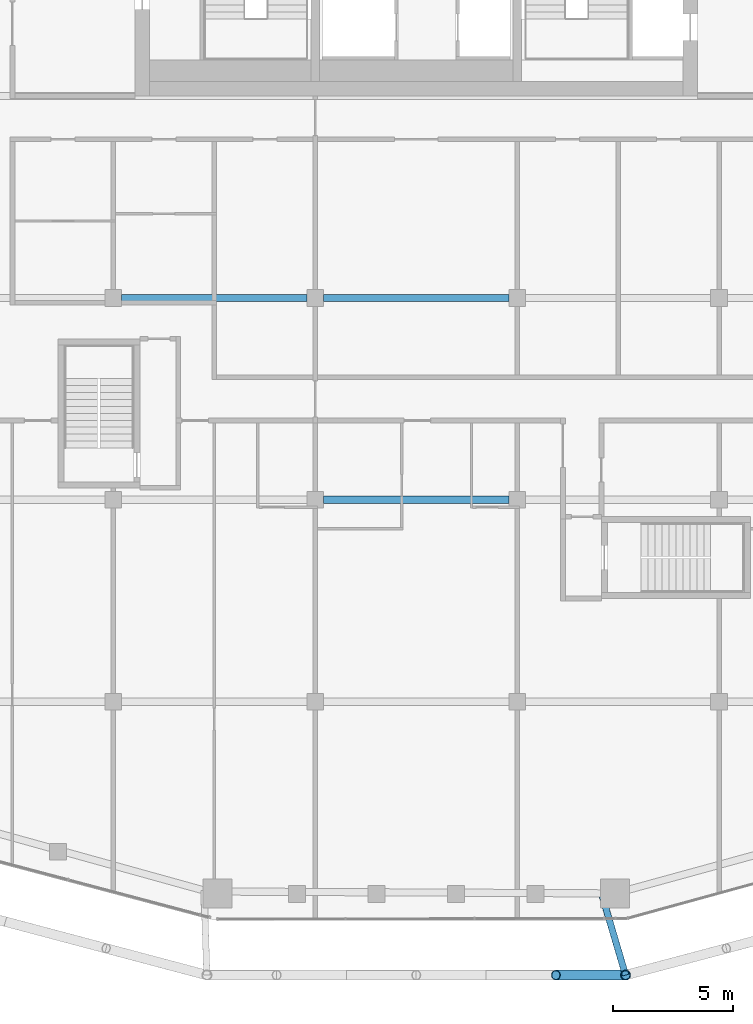
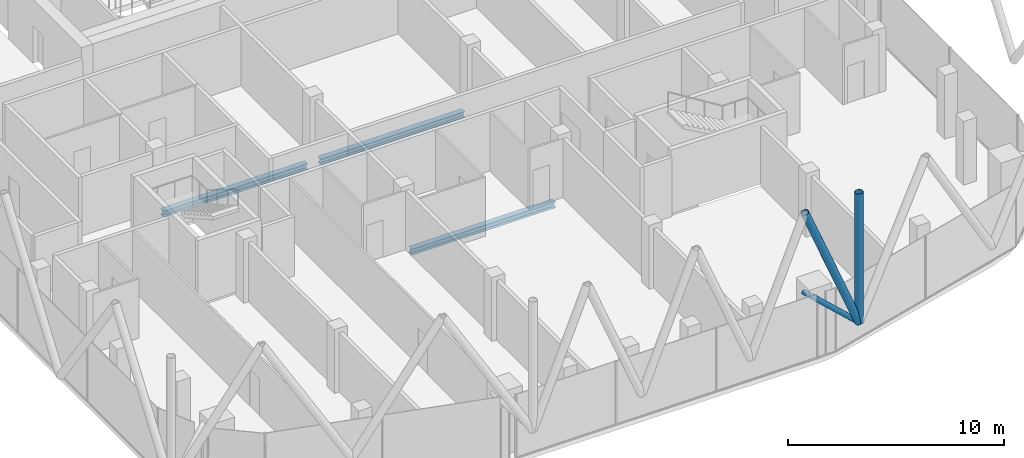
# One storey, part 5 of 27: 3 beams, 3 members.
"""IFC4 building model written with IfcOpenShell, lengths in metres."""

from ifc_helpers import new_model, si_unit, direction, frame, origin, origin_2d, place, context, subcontext, project, spatial, hollow_circle, i_section, extrude, material, material_profile, profile_set, type_object, element, save


model = new_model("IFC4")

# Units and contexts
model_context = context("Model", 3, precision=1e-05, world=origin(), true_north=direction((0.0, 1.0)))
body_context = subcontext(model_context, "Body", "Model", "MODEL_VIEW")
ifc_project = project(units=[si_unit("LENGTHUNIT", "METRE"), si_unit("AREAUNIT", "SQUARE_METRE"), si_unit("VOLUMEUNIT", "CUBIC_METRE"), si_unit("PLANEANGLEUNIT", "RADIAN"), si_unit("MASSUNIT", "GRAM", prefix="KILO")], contexts=[model_context])

# Site, building, storey
site_placement = place(None, origin())
site = spatial("IfcSite", under=ifc_project, at=site_placement, CompositionType="ELEMENT")
building_placement = place(site_placement, origin())
building = spatial("IfcBuilding", under=site, at=building_placement, Name="Marenta Gate Hotel Tower", CompositionType="ELEMENT")
storey_placement = place(building_placement, frame((0.0, 0.0, 270.5)))
storey = spatial("IfcBuildingStorey", under=building, at=storey_placement, Name="L62", CompositionType="ELEMENT", Elevation=270.5)

# Members
ifc_material_1 = material(Name="Steel S355J2W", Category="steel")
ifc_material_profile_1 = material_profile(ifc_material_1, hollow_circle(Radius=0.203125, WallThickness=0.01611328125, at=origin_2d()), Name="CHS 406.4x16")
ifc_profile_set_1 = profile_set([ifc_material_profile_1], Name="Steel S355J2W")
member_type_1 = type_object("IfcMemberType", Name="Diagrid corner post Z4 CHS 406.4x16", PredefinedType="POST", material=ifc_profile_set_1)
member_1_placement = place(storey_placement, frame((8.708984375, -36.570068359375, 3.139892578125), z_axis=(0.0, 0.0, 1.0), x_axis=(1.0, 0.0, 0.0)))
element("IfcMember", 1, at=member_1_placement, inside=storey, type_object=member_type_1, Name="L62-DR-3", PredefinedType="POST", context=body_context, shape_type="SweptSolid", body=[
    extrude(hollow_circle(Radius=0.203125, WallThickness=0.01611328125, at=origin_2d()), origin(), (0.0, 0.0, 1.0), 7.360107421875),
])
ifc_material_2 = material(Name="Steel S355J2W", Category="steel")
ifc_material_profile_2 = material_profile(ifc_material_2, hollow_circle(Radius=0.203125, WallThickness=0.02490234375, at=origin_2d()), Name="CHS 406.4x25")
ifc_profile_set_2 = profile_set([ifc_material_profile_2], Name="Steel S355J2W")
member_type_2 = type_object("IfcMemberType", Name="Diagrid diagonal Z4 CHS 406.4x25", PredefinedType="BRACE", material=ifc_profile_set_2)
member_2_placement = place(storey_placement, frame((8.708984375, -36.570068359375, 3.139892578125), z_axis=(-0.373943030937, 0.0, 0.927451675083), x_axis=(0.0, -1.0, 0.0)))
element("IfcMember", 2, at=member_2_placement, inside=storey, type_object=member_type_2, Name="L62-DG-15", PredefinedType="BRACE", context=body_context, shape_type="SweptSolid", body=[
    extrude(hollow_circle(Radius=0.203125, WallThickness=0.02490234375, at=origin_2d()), origin(), (0.0, 0.0, 1.0), 7.763427734375),
])
ifc_material_3 = material(Name="Steel S355J2W", Category="steel")
ifc_material_profile_3 = material_profile(ifc_material_3, hollow_circle(Radius=0.136474609375, WallThickness=0.012451171875, at=origin_2d()), Name="CHS 273x12.5")
ifc_profile_set_3 = profile_set([ifc_material_profile_3], Name="Steel S355J2W")
member_type_3 = type_object("IfcMemberType", Name="Floor tie CHS 273x12.5", PredefinedType="STRUT", material=ifc_profile_set_3)
member_3_placement = place(storey_placement, frame((8.708984375, -36.570068359375, 3.139892578125), z_axis=(-0.282875963545, 0.95915649883, 0.0), x_axis=(-0.95915649883, -0.282875963545, 0.0)))
element("IfcMember", 3, at=member_3_placement, inside=storey, type_object=member_type_3, Name="L62-DR-9", PredefinedType="STRUT", context=body_context, shape_type="SweptSolid", body=[
    extrude(hollow_circle(Radius=0.136474609375, WallThickness=0.012451171875, at=origin_2d()), origin(), (0.0, 0.0, 1.0), 3.53857421875),
])

# Beams
ifc_material_4 = material(Name="Steel S355", Category="steel")
ifc_material_profile_4 = material_profile(ifc_material_4, i_section(OverallWidth=0.300048828125, OverallDepth=0.340087890625, WebThickness=0.011962890625, FlangeThickness=0.021484375, FilletRadius=0.027099609375, at=origin_2d()), Name="HEB 340")
ifc_profile_set_4 = profile_set([ifc_material_profile_4], Name="Steel S355")
beam_type = type_object("IfcBeamType", Name="Girder HEB 340", PredefinedType="BEAM", material=ifc_profile_set_4)
beam_1_placement = place(storey_placement, frame((-3.85009765625, -16.800048828125, -0.429931640625), z_axis=(1.0, 0.0, 0.0), x_axis=(0.0, 1.0, 0.0)))
element("IfcBeam", 4, at=beam_1_placement, inside=storey, type_object=beam_type, Name="L62-GD-8", PredefinedType="BEAM", context=body_context, shape_type="SweptSolid", body=[
    extrude(i_section(OverallWidth=0.300048828125, OverallDepth=0.340087890625, WebThickness=0.011962890625, FlangeThickness=0.021484375, FilletRadius=0.027099609375, at=origin_2d()), origin(), (0.0, 0.0, 1.0), 7.7001953125),
])
beam_2_placement = place(storey_placement, frame((-12.25, -8.39990234375, -0.429931640625), z_axis=(1.0, 0.0, 0.0), x_axis=(0.0, 1.0, 0.0)))
element("IfcBeam", 5, at=beam_2_placement, inside=storey, type_object=beam_type, Name="L62-GD-12", PredefinedType="BEAM", context=body_context, shape_type="SweptSolid", body=[
    extrude(i_section(OverallWidth=0.300048828125, OverallDepth=0.340087890625, WebThickness=0.011962890625, FlangeThickness=0.021484375, FilletRadius=0.027099609375, at=origin_2d()), origin(), (0.0, 0.0, 1.0), 7.699951171875),
])
beam_3_placement = place(storey_placement, frame((-3.85009765625, -8.39990234375, -0.429931640625), z_axis=(1.0, 0.0, 0.0), x_axis=(0.0, 1.0, 0.0)))
element("IfcBeam", 6, at=beam_3_placement, inside=storey, type_object=beam_type, Name="L62-GD-13", PredefinedType="BEAM", context=body_context, shape_type="SweptSolid", body=[
    extrude(i_section(OverallWidth=0.300048828125, OverallDepth=0.340087890625, WebThickness=0.011962890625, FlangeThickness=0.021484375, FilletRadius=0.027099609375, at=origin_2d()), origin(), (0.0, 0.0, 1.0), 7.7001953125),
])

save(model, "model.ifc")
